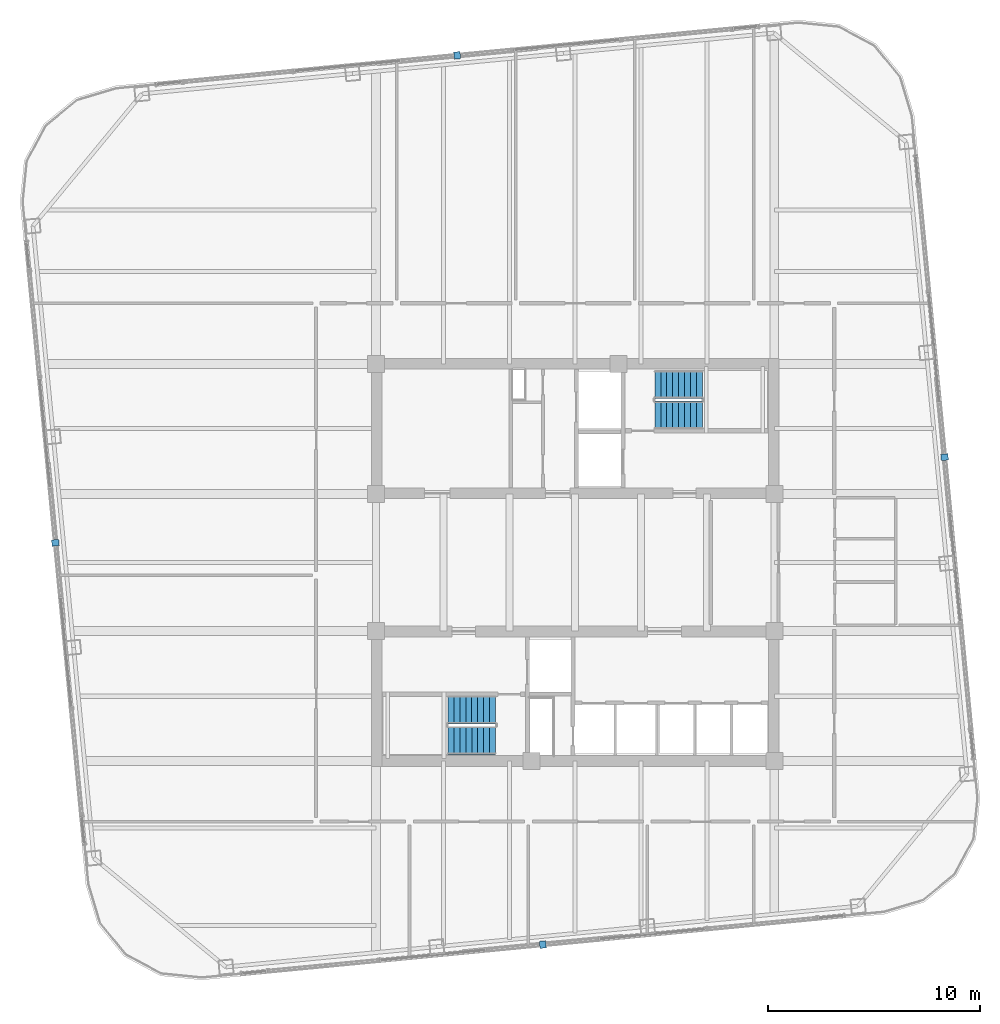
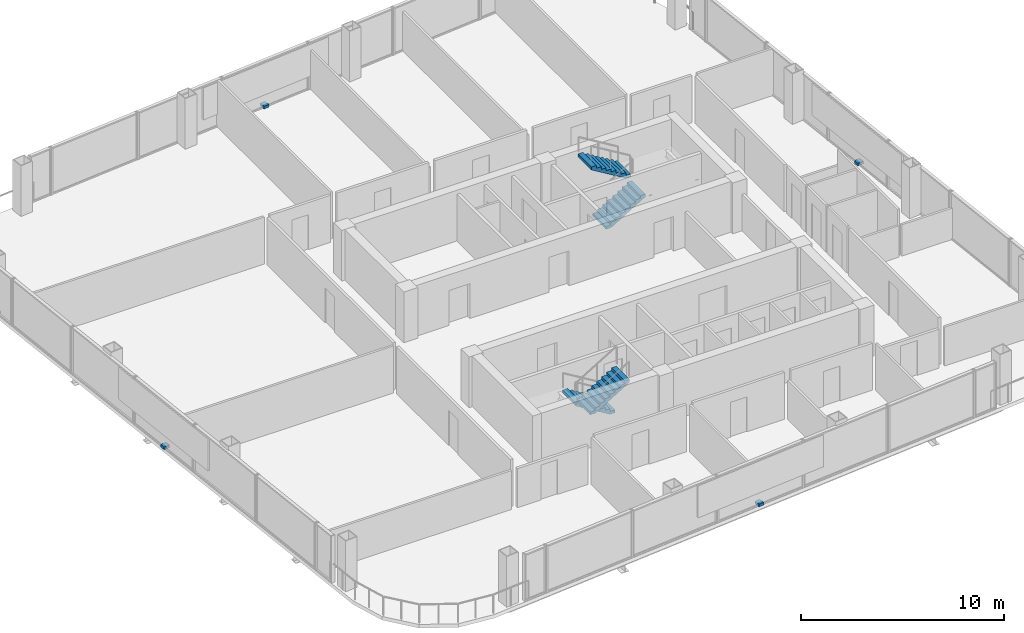
# One storey, part 19 of 22: 4 discrete accessories, 4 stair flights, 2 elements without a shape of their own.
"""IFC4 building model written with IfcOpenShell, lengths in metres."""

from ifc_helpers import new_model, si_unit, direction, frame, origin, origin_2d, place, context, subcontext, project, spatial, polyline, rectangle, outline, extrude, material, type_object, element, aggregate, save


model = new_model("IFC4")

# Units and contexts
model_context = context("Model", 3, precision=1e-05, world=origin(), true_north=direction((0.0, 1.0)))
body_context = subcontext(model_context, "Body", "Model", "MODEL_VIEW")
ifc_project = project(units=[si_unit("LENGTHUNIT", "METRE"), si_unit("AREAUNIT", "SQUARE_METRE"), si_unit("VOLUMEUNIT", "CUBIC_METRE"), si_unit("PLANEANGLEUNIT", "RADIAN"), si_unit("MASSUNIT", "GRAM", prefix="KILO")], contexts=[model_context])

# Site, building, storey
site_placement = place(None, origin())
site = spatial("IfcSite", under=ifc_project, at=site_placement, CompositionType="ELEMENT")
building_placement = place(site_placement, origin())
building = spatial("IfcBuilding", under=site, at=building_placement, Name="Qhalaya Broadcast Tower", CompositionType="ELEMENT")
storey_placement = place(building_placement, frame((0.0, 0.0, 165.300048828125)))
storey = spatial("IfcBuildingStorey", under=building, at=storey_placement, Name="L48", CompositionType="ELEMENT", Elevation=165.300048828125)

# Stair, stair flights
ifc_material_1 = material(Name="Concrete C40/50", Category="concrete")
stair_type = type_object("IfcStairType", Name="Protected Dogleg Core Stair 3150", PredefinedType="TWO_STRAIGHT_RUN_STAIR", material=ifc_material_1)
stair_1_placement = place(storey_placement, origin())
stair_1 = element("IfcStair", 1, at=stair_1_placement, inside=storey, type_object=stair_type, Name="L48 North Core Exit Stair ST-1", PredefinedType="TWO_STRAIGHT_RUN_STAIR")
ifc_material_2 = material(Name="Precast Concrete C40/50", Category="concrete")
stair_flight_type = type_object("IfcStairFlightType", Name="Precast Concrete Stair Flight 3150", PredefinedType="STRAIGHT", material=ifc_material_2)
stair_flight_1_placement = place(storey_placement, frame((3.75, 7.5400390625, 0.0), z_axis=(0.0, 0.0, 1.0), x_axis=(1.0, 0.0, 0.0)))
stair_flight_1 = element("IfcStairFlight", 2, at=stair_flight_1_placement, type_object=stair_flight_type, Name="ST-1 flight 1", NumberOfRisers=9, NumberOfTreads=8, PredefinedType="STRAIGHT", RiserHeight=0.169444444, TreadLength=0.28, context=body_context, shape_type="SweptSolid", body=[
    extrude(outline(polyline([(0.0, 0.0), (0.0, 0.16943359375), (0.280029296875, 0.16943359375), (0.280029296875, 0.3388671875), (0.56005859375, 0.3388671875), (0.56005859375, 0.50830078125), (0.840087890625, 0.50830078125), (0.840087890625, 0.677734375), (1.1201171875, 0.677734375), (1.1201171875, 0.84716796875), (1.39990234375, 0.84716796875), (1.39990234375, 1.0166015625), (1.679931640625, 1.0166015625), (1.679931640625, 1.18603515625), (1.9599609375, 1.18603515625), (1.9599609375, 1.35546875), (2.239990234375, 1.35546875), (2.239990234375, 1.52490234375), (2.239990234375, 1.180419921875), (0.28955078125, 0.0), (0.0, 0.0)])), frame((0.0, 0.66015625, 0.0), z_axis=(0.0, -1.0, 0.0), x_axis=(1.0, 0.0, 0.0)), (0.0, 0.0, 1.0), 1.320068359375),
])
stair_flight_2_placement = place(storey_placement, frame((5.989990234375, 8.97998046875, 1.52490234375), z_axis=(0.0, 0.0, 1.0), x_axis=(-1.0, 0.0, 0.0)))
stair_flight_2 = element("IfcStairFlight", 3, at=stair_flight_2_placement, type_object=stair_flight_type, Name="ST-1 flight 2", NumberOfRisers=9, NumberOfTreads=8, PredefinedType="STRAIGHT", RiserHeight=0.169444444, TreadLength=0.28, context=body_context, shape_type="SweptSolid", body=[
    extrude(outline(polyline([(0.0, 0.0), (0.0, 0.16943359375), (0.280029296875, 0.16943359375), (0.280029296875, 0.3388671875), (0.56005859375, 0.3388671875), (0.56005859375, 0.50830078125), (0.840087890625, 0.50830078125), (0.840087890625, 0.677734375), (1.1201171875, 0.677734375), (1.1201171875, 0.84716796875), (1.39990234375, 0.84716796875), (1.39990234375, 1.0166015625), (1.679931640625, 1.0166015625), (1.679931640625, 1.18603515625), (1.9599609375, 1.18603515625), (1.9599609375, 1.35546875), (2.239990234375, 1.35546875), (2.239990234375, 1.52490234375), (2.239990234375, 1.180419921875), (0.28955078125, 0.0), (0.0, 0.0)])), frame((0.0, 0.66015625, 0.0), z_axis=(0.0, -1.0, 0.0), x_axis=(1.0, 0.0, 0.0)), (0.0, 0.0, 1.0), 1.320068359375),
])
aggregate(stair_1, [stair_flight_1, stair_flight_2])

stair_2_placement = place(storey_placement, origin())
stair_2 = element("IfcStair", 4, at=stair_2_placement, inside=storey, type_object=stair_type, Name="L48 South Core Exit Stair ST-2", PredefinedType="TWO_STRAIGHT_RUN_STAIR")
stair_flight_3_placement = place(storey_placement, frame((-3.75, -6.340087890625, 0.0), z_axis=(0.0, 0.0, 1.0), x_axis=(-1.0, 0.0, 0.0)))
stair_flight_3 = element("IfcStairFlight", 5, at=stair_flight_3_placement, type_object=stair_flight_type, Name="ST-2 flight 1", NumberOfRisers=9, NumberOfTreads=8, PredefinedType="STRAIGHT", RiserHeight=0.169444444, TreadLength=0.28, context=body_context, shape_type="SweptSolid", body=[
    extrude(outline(polyline([(0.0, 0.0), (0.0, 0.16943359375), (0.280029296875, 0.16943359375), (0.280029296875, 0.3388671875), (0.56005859375, 0.3388671875), (0.56005859375, 0.50830078125), (0.840087890625, 0.50830078125), (0.840087890625, 0.677734375), (1.1201171875, 0.677734375), (1.1201171875, 0.84716796875), (1.39990234375, 0.84716796875), (1.39990234375, 1.0166015625), (1.679931640625, 1.0166015625), (1.679931640625, 1.18603515625), (1.9599609375, 1.18603515625), (1.9599609375, 1.35546875), (2.239990234375, 1.35546875), (2.239990234375, 1.52490234375), (2.239990234375, 1.180419921875), (0.28955078125, 0.0), (0.0, 0.0)])), frame((0.0, 0.66015625, 0.0), z_axis=(0.0, -1.0, 0.0), x_axis=(1.0, 0.0, 0.0)), (0.0, 0.0, 1.0), 1.320068359375),
])
stair_flight_4_placement = place(storey_placement, frame((-5.989990234375, -7.780029296875, 1.52490234375), z_axis=(0.0, 0.0, 1.0), x_axis=(1.0, 0.0, 0.0)))
stair_flight_4 = element("IfcStairFlight", 6, at=stair_flight_4_placement, type_object=stair_flight_type, Name="ST-2 flight 2", NumberOfRisers=9, NumberOfTreads=8, PredefinedType="STRAIGHT", RiserHeight=0.169444444, TreadLength=0.28, context=body_context, shape_type="SweptSolid", body=[
    extrude(outline(polyline([(0.0, 0.0), (0.0, 0.16943359375), (0.280029296875, 0.16943359375), (0.280029296875, 0.3388671875), (0.56005859375, 0.3388671875), (0.56005859375, 0.50830078125), (0.840087890625, 0.50830078125), (0.840087890625, 0.677734375), (1.1201171875, 0.677734375), (1.1201171875, 0.84716796875), (1.39990234375, 0.84716796875), (1.39990234375, 1.0166015625), (1.679931640625, 1.0166015625), (1.679931640625, 1.18603515625), (1.9599609375, 1.18603515625), (1.9599609375, 1.35546875), (2.239990234375, 1.35546875), (2.239990234375, 1.52490234375), (2.239990234375, 1.180419921875), (0.28955078125, 0.0), (0.0, 0.0)])), frame((0.0, 0.66015625, 0.0), z_axis=(0.0, -1.0, 0.0), x_axis=(1.0, 0.0, 0.0)), (0.0, 0.0, 1.0), 1.320068359375),
])
aggregate(stair_2, [stair_flight_3, stair_flight_4])

# Discrete accessories
ifc_material_3 = material(Name="Structural Steel ASTM A572 Grade 50", Category="steel")
discrete_accessory_type = type_object("IfcDiscreteAccessoryType", Name="Facade Baguette Support Bracket BRK-01", PredefinedType="BRACKET", material=ifc_material_3)
for number, where, z_axis, x_axis, name in (
    (7, (-1.5244140625, -17.393310546875, 0.0), (0.0, 0.0, 1.0), (0.995396198367, 0.09584575252, 0.0), "L48 Baguette Support Bracket S"),
    (8, (17.393310546875, 5.5556640625, 0.0), (0.0, 0.0, 1.0), (-0.09584575252, 0.995396198367, 0.0), "L48 Baguette Support Bracket E"),
    (9, (-5.5556640625, 24.47314453125, 0.0), (0.0, 0.0, 1.0), (-0.995396198367, -0.09584575252, 0.0), "L48 Baguette Support Bracket N"),
    (10, (-24.47314453125, 1.5244140625, 0.0), (0.0, 0.0, 1.0), (0.09584575252, -0.995396198367, 0.0), "L48 Baguette Support Bracket W"),
):
    element("IfcDiscreteAccessory", number, at=place(storey_placement, frame(where, z_axis=z_axis, x_axis=x_axis)), inside=storey, type_object=discrete_accessory_type, Name=name, PredefinedType="BRACKET", context=body_context, shape_type="SweptSolid", body=[
        extrude(rectangle(XDim=0.300048828125, YDim=0.340087890625, at=origin_2d()), origin(), (0.0, 0.0, 1.0), 0.159912109375),
    ])

save(model, "model.ifc")
